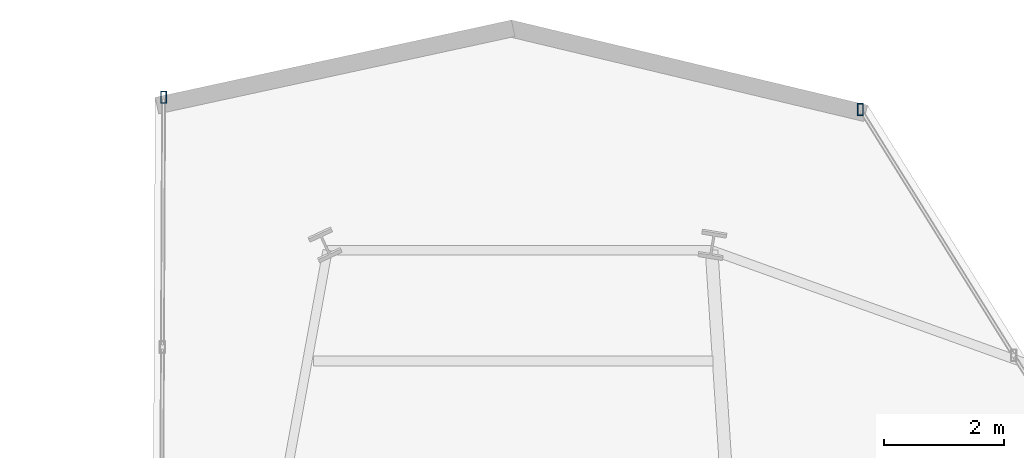
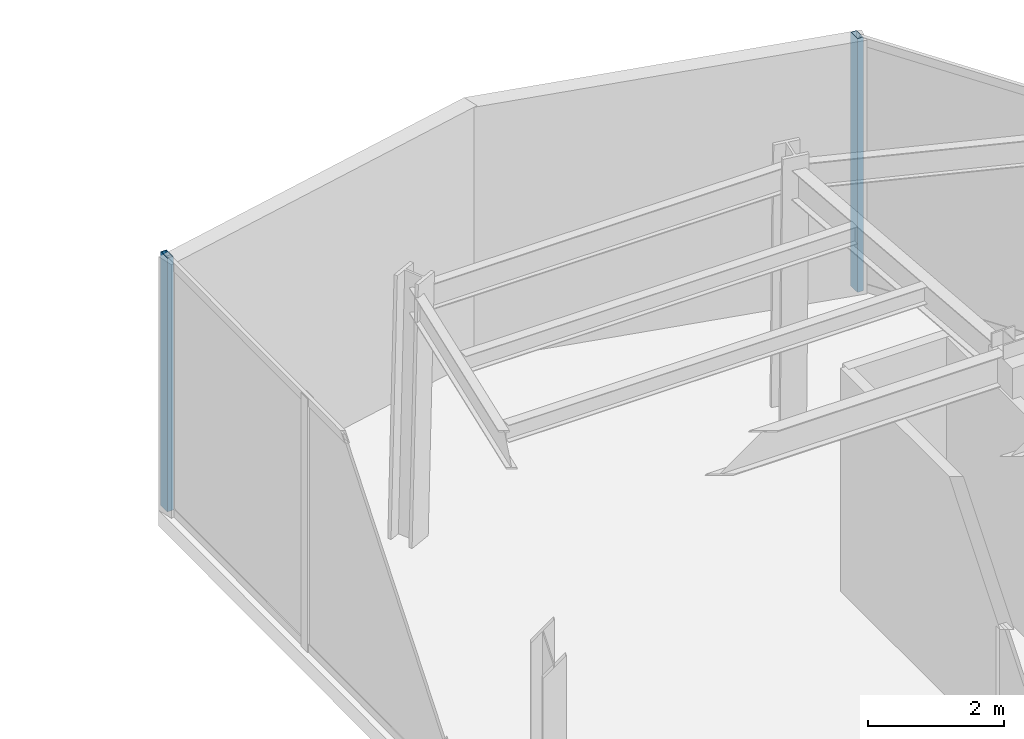
# One storey, part 8 of 14: 2 members, 2 elements without a shape of their own.
"""IFC4 building model written with IfcOpenShell, lengths in metres."""

from ifc_helpers import new_model, si_unit, direction, frame, origin, origin_2d, place, context, subcontext, project, spatial, hollow_rectangle, extrude, material, layer, layer_set, material_profile, profile_set, type_object, element, aggregate, save


model = new_model("IFC4")

# Units and contexts
model_context = context("Model", 3, precision=1e-05, world=origin(), true_north=direction((0.0, 1.0)))
body_context = subcontext(model_context, "Body", "Model", "MODEL_VIEW")
ifc_project = project(units=[si_unit("LENGTHUNIT", "METRE"), si_unit("AREAUNIT", "SQUARE_METRE"), si_unit("VOLUMEUNIT", "CUBIC_METRE"), si_unit("PLANEANGLEUNIT", "RADIAN"), si_unit("MASSUNIT", "GRAM", prefix="KILO")], contexts=[model_context])

# Site, building, storey
site_placement = place(None, origin())
site = spatial("IfcSite", under=ifc_project, at=site_placement, CompositionType="ELEMENT")
building_placement = place(site_placement, origin())
building = spatial("IfcBuilding", under=site, at=building_placement, Name="Veymaron Broadcast Tower", CompositionType="ELEMENT")
storey_placement = place(building_placement, frame((0.0, 0.0, 187.050048828125)))
storey = spatial("IfcBuildingStorey", under=building, at=storey_placement, Name="L43", CompositionType="ELEMENT", Elevation=187.050048828125)

# Curtain wall, member
ifc_material_1 = material(Name="Anodised aluminium AA 6063-T6 and laminated low-E dark glass", Category="aluminium")
ifc_layer = layer(ifc_material_1, 0.179931640625)
ifc_layer_set = layer_set([ifc_layer], Name="Anodised aluminium AA 6063-T6 and laminated low-E dark glass")
curtain_wall_type = type_object("IfcCurtainWallType", Name="CW-SYS-04", PredefinedType="NOTDEFINED", material=ifc_layer_set)
curtain_wall_1_placement = place(storey_placement, origin())
curtain_wall_1 = element("IfcCurtainWall", 1, at=curtain_wall_1_placement, inside=storey, type_object=curtain_wall_type, Name="L43 dark-glass curtain wall CW-L43-E5-1", PredefinedType="NOTDEFINED")
ifc_material_2 = material(Name="Anodised aluminium AA 6063-T6", Category="aluminium")
ifc_material_profile = material_profile(ifc_material_2, hollow_rectangle(XDim=0.10009765625, YDim=0.199951171875, WallThickness=0.010009765625, at=origin_2d()), Name="RHS200X100X10")
ifc_profile_set = profile_set([ifc_material_profile], Name="Anodised aluminium AA 6063-T6")
member_type = type_object("IfcMemberType", Name="CW-MUL-01", PredefinedType="MULLION", material=ifc_profile_set)
member_1_placement = place(storey_placement, frame((41.0966796875, 40.0869140625, 0.0), z_axis=(0.0, 0.0, 1.0), x_axis=(1.0, 0.0, 0.0)))
member_1 = element("IfcMember", 2, at=member_1_placement, type_object=member_type, Name="CW-L43-E5-1 mullion 2", PredefinedType="MULLION", context=body_context, shape_type="SweptSolid", body=[
    extrude(hollow_rectangle(XDim=0.10009765625, YDim=0.199951171875, WallThickness=0.010009765625, at=origin_2d()), origin(), (0.0, 0.0, 1.0), 4.5400390625),
])
aggregate(curtain_wall_1, [member_1])

curtain_wall_2_placement = place(storey_placement, origin())
curtain_wall_2 = element("IfcCurtainWall", 3, at=curtain_wall_2_placement, inside=storey, type_object=curtain_wall_type, Name="L43 dark-glass curtain wall CW-L43-E8-1", PredefinedType="NOTDEFINED")
member_2_placement = place(storey_placement, frame((29.527099609375, 40.28857421875, 0.0), z_axis=(0.0, 0.0, 1.0), x_axis=(1.0, 0.0, 0.0)))
member_2 = element("IfcMember", 4, at=member_2_placement, type_object=member_type, Name="CW-L43-E8-1 mullion 0", PredefinedType="MULLION", context=body_context, shape_type="SweptSolid", body=[
    extrude(hollow_rectangle(XDim=0.10009765625, YDim=0.199951171875, WallThickness=0.010009765625, at=origin_2d()), origin(), (0.0, 0.0, 1.0), 4.5400390625),
])
aggregate(curtain_wall_2, [member_2])

save(model, "model.ifc")
